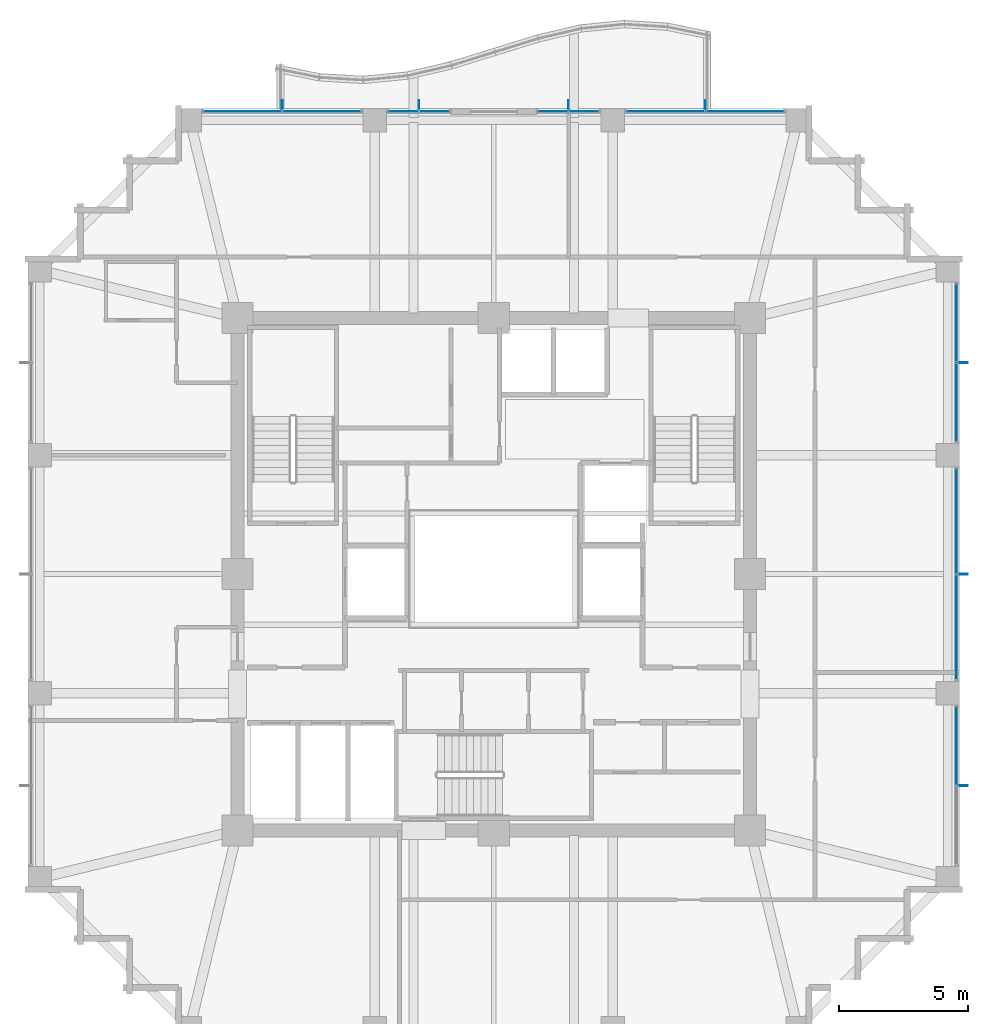
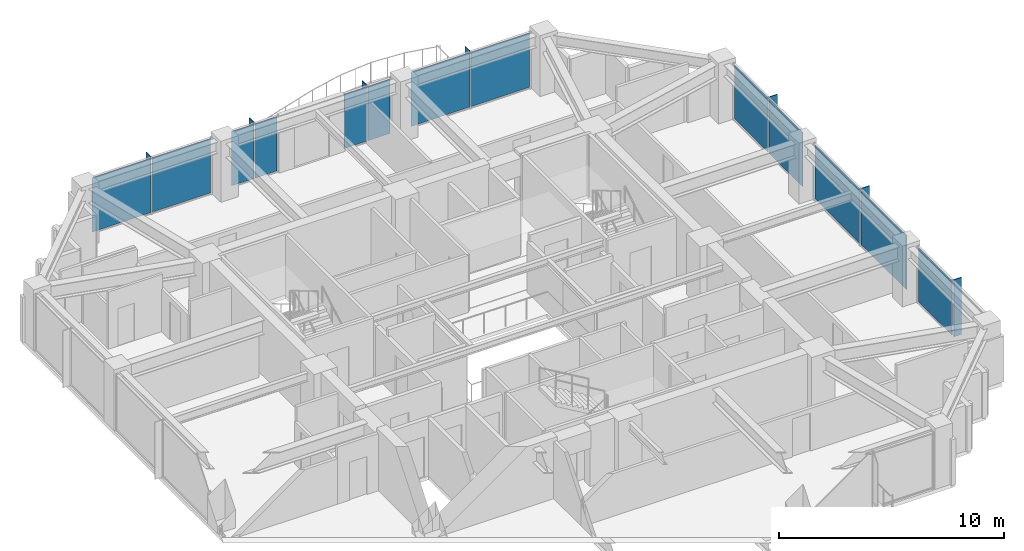
# One storey, part 25 of 31: 20 plates, 7 elements without a shape of their own.
"""IFC4 building model written with IfcOpenShell, lengths in metres."""

from ifc_helpers import new_model, si_unit, direction, frame, origin, origin_2d, place, context, subcontext, project, spatial, rectangle, extrude, material, layer, layer_set, type_object, element, aggregate, save


model = new_model("IFC4")

# Units and contexts
model_context = context("Model", 3, precision=1e-05, world=origin(), true_north=direction((0.0, 1.0)))
body_context = subcontext(model_context, "Body", "Model", "MODEL_VIEW")
ifc_project = project(units=[si_unit("LENGTHUNIT", "METRE"), si_unit("AREAUNIT", "SQUARE_METRE"), si_unit("VOLUMEUNIT", "CUBIC_METRE"), si_unit("PLANEANGLEUNIT", "RADIAN"), si_unit("MASSUNIT", "GRAM", prefix="KILO")], contexts=[model_context])

# Site, building, storey
site_placement = place(None, origin())
site = spatial("IfcSite", under=ifc_project, at=site_placement, CompositionType="ELEMENT")
building_placement = place(site_placement, origin())
building = spatial("IfcBuilding", under=site, at=building_placement, Name="Kolvaren Belvedere", CompositionType="ELEMENT")
storey_placement = place(building_placement, frame((0.0, 0.0, 134.89990234375)))
storey = spatial("IfcBuildingStorey", under=building, at=storey_placement, Name="L39", CompositionType="ELEMENT", Elevation=134.89990234375)

# Curtain wall, plates
ifc_material_1 = material(Name="Anodised pale-metal aluminium AA 6063-T6", Category="aluminium")
curtain_wall_type = type_object("IfcCurtainWallType", Name="CW-Z3-WAIST", PredefinedType="NOTDEFINED", material=ifc_material_1)
curtain_wall_1_placement = place(storey_placement, origin())
curtain_wall_1 = element("IfcCurtainWall", 1, at=curtain_wall_1_placement, inside=storey, type_object=curtain_wall_type, Name="L39 Unitised Curtain Wall FCW-L39-E-B1", PredefinedType="NOTDEFINED")
ifc_material_2 = material(Name="Low-iron triple insulated glass", Category="glass")
ifc_layer_1 = layer(ifc_material_2, 0.028076171875)
ifc_layer_set_1 = layer_set([ifc_layer_1], Name="Low-iron triple insulated glass")
plate_type_1 = type_object("IfcPlateType", Name="CW-PNL-VIS28", PredefinedType="CURTAIN_PANEL", material=ifc_layer_set_1)
plate_1_placement = place(storey_placement, frame((17.8798828125, 9.711181640625, 0.080078125), z_axis=(0.0, 0.0, 1.0), x_axis=(0.0, -1.0, 0.0)))
plate_1 = element("IfcPlate", 2, at=plate_1_placement, type_object=plate_type_1, Name="FCW-L39-E-B1 Vision Glazing Panel 1", PredefinedType="CURTAIN_PANEL", context=body_context, shape_type="SweptSolid", body=[
    extrude(rectangle(XDim=2.992431640625, YDim=0.028076171875, at=origin_2d()), origin(), (0.0, 0.0, 1.0), 2.93994140625),
])
plate_2_placement = place(storey_placement, frame((17.8798828125, 6.638671875, 0.080078125), z_axis=(0.0, 0.0, 1.0), x_axis=(0.0, -1.0, 0.0)))
plate_2 = element("IfcPlate", 3, at=plate_2_placement, type_object=plate_type_1, Name="FCW-L39-E-B1 Vision Glazing Panel 2", PredefinedType="CURTAIN_PANEL", context=body_context, shape_type="SweptSolid", body=[
    extrude(rectangle(XDim=2.992431640625, YDim=0.028076171875, at=origin_2d()), origin(), (0.0, 0.0, 1.0), 2.93994140625),
])
aggregate(curtain_wall_1, [plate_1, plate_2])

curtain_wall_2_placement = place(storey_placement, origin())
curtain_wall_2 = element("IfcCurtainWall", 4, at=curtain_wall_2_placement, inside=storey, type_object=curtain_wall_type, Name="L39 Unitised Curtain Wall FCW-L39-E-B2", PredefinedType="NOTDEFINED")
plate_3_placement = place(storey_placement, frame((17.8798828125, 2.048828125, 0.080078125), z_axis=(0.0, 0.0, 1.0), x_axis=(0.0, -1.0, 0.0)))
plate_3 = element("IfcPlate", 5, at=plate_3_placement, type_object=plate_type_1, Name="FCW-L39-E-B2 Vision Glazing Panel 1", PredefinedType="CURTAIN_PANEL", context=body_context, shape_type="SweptSolid", body=[
    extrude(rectangle(XDim=4.017578125, YDim=0.028076171875, at=origin_2d()), origin(), (0.0, 0.0, 1.0), 2.93994140625),
])
plate_4_placement = place(storey_placement, frame((17.8798828125, -2.048828125, 0.080078125), z_axis=(0.0, 0.0, 1.0), x_axis=(0.0, -1.0, 0.0)))
plate_4 = element("IfcPlate", 6, at=plate_4_placement, type_object=plate_type_1, Name="FCW-L39-E-B2 Vision Glazing Panel 2", PredefinedType="CURTAIN_PANEL", context=body_context, shape_type="SweptSolid", body=[
    extrude(rectangle(XDim=4.017578125, YDim=0.028076171875, at=origin_2d()), origin(), (0.0, 0.0, 1.0), 2.93994140625),
])
aggregate(curtain_wall_2, [plate_3, plate_4])

# Curtain wall, plate
curtain_wall_3_placement = place(storey_placement, origin())
curtain_wall_3 = element("IfcCurtainWall", 7, at=curtain_wall_3_placement, inside=storey, type_object=curtain_wall_type, Name="L39 Unitised Curtain Wall FCW-L39-E-B3", PredefinedType="NOTDEFINED")
plate_5_placement = place(storey_placement, frame((17.8798828125, -6.638671875, 0.080078125), z_axis=(0.0, 0.0, 1.0), x_axis=(0.0, -1.0, 0.0)))
plate_5 = element("IfcPlate", 8, at=plate_5_placement, type_object=plate_type_1, Name="FCW-L39-E-B3 Vision Glazing Panel 1", PredefinedType="CURTAIN_PANEL", context=body_context, shape_type="SweptSolid", body=[
    extrude(rectangle(XDim=2.992431640625, YDim=0.028076171875, at=origin_2d()), origin(), (0.0, 0.0, 1.0), 2.93994140625),
])
aggregate(curtain_wall_3, [plate_5])

# Curtain wall, plates
curtain_wall_4_placement = place(storey_placement, origin())
curtain_wall_4 = element("IfcCurtainWall", 9, at=curtain_wall_4_placement, inside=storey, type_object=curtain_wall_type, Name="L39 Unitised Curtain Wall FCW-L39-N1-B1", PredefinedType="NOTDEFINED")
plate_6_placement = place(storey_placement, frame((-9.711181640625, 17.8798828125, 0.080078125), z_axis=(0.0, 0.0, 1.0), x_axis=(1.0, 0.0, 0.0)))
plate_6 = element("IfcPlate", 10, at=plate_6_placement, type_object=plate_type_1, Name="FCW-L39-N1-B1 Vision Glazing Panel 1", PredefinedType="CURTAIN_PANEL", context=body_context, shape_type="SweptSolid", body=[
    extrude(rectangle(XDim=2.992431640625, YDim=0.028076171875, at=origin_2d()), origin(), (0.0, 0.0, 1.0), 2.93994140625),
])
plate_7_placement = place(storey_placement, frame((-6.638671875, 17.8798828125, 0.080078125), z_axis=(0.0, 0.0, 1.0), x_axis=(1.0, 0.0, 0.0)))
plate_7 = element("IfcPlate", 11, at=plate_7_placement, type_object=plate_type_1, Name="FCW-L39-N1-B1 Vision Glazing Panel 2", PredefinedType="CURTAIN_PANEL", context=body_context, shape_type="SweptSolid", body=[
    extrude(rectangle(XDim=2.992431640625, YDim=0.028076171875, at=origin_2d()), origin(), (0.0, 0.0, 1.0), 2.93994140625),
])
aggregate(curtain_wall_4, [plate_6, plate_7])

curtain_wall_5_placement = place(storey_placement, origin())
curtain_wall_5 = element("IfcCurtainWall", 12, at=curtain_wall_5_placement, inside=storey, type_object=curtain_wall_type, Name="L39 Unitised Curtain Wall FCW-L39-N1-B2", PredefinedType="NOTDEFINED")
plate_8_placement = place(storey_placement, frame((-3.4931640625, 17.8798828125, 0.080078125), z_axis=(0.0, 0.0, 1.0), x_axis=(1.0, 0.0, 0.0)))
plate_8 = element("IfcPlate", 13, at=plate_8_placement, type_object=plate_type_1, Name="FCW-L39-N1-B2 Vision Glazing Panel 1", PredefinedType="CURTAIN_PANEL", context=body_context, shape_type="SweptSolid", body=[
    extrude(rectangle(XDim=1.12890625, YDim=0.028076171875, at=origin_2d()), origin(), (0.0, 0.0, 1.0), 2.93994140625),
])
plate_9_placement = place(storey_placement, frame((-2.284423828125, 17.8798828125, 0.080078125), z_axis=(0.0, 0.0, 1.0), x_axis=(1.0, 0.0, 0.0)))
plate_9 = element("IfcPlate", 14, at=plate_9_placement, type_object=plate_type_1, Name="FCW-L39-N1-B2 Vision Glazing Panel 2", PredefinedType="CURTAIN_PANEL", context=body_context, shape_type="SweptSolid", body=[
    extrude(rectangle(XDim=1.12890625, YDim=0.028076171875, at=origin_2d()), origin(), (0.0, 0.0, 1.0), 2.93994140625),
])
aggregate(curtain_wall_5, [plate_8, plate_9])

curtain_wall_6_placement = place(storey_placement, origin())
curtain_wall_6 = element("IfcCurtainWall", 15, at=curtain_wall_6_placement, inside=storey, type_object=curtain_wall_type, Name="L39 Unitised Curtain Wall FCW-L39-N2-B1", PredefinedType="NOTDEFINED")
plate_10_placement = place(storey_placement, frame((2.284423828125, 17.8798828125, 0.080078125), z_axis=(0.0, 0.0, 1.0), x_axis=(1.0, 0.0, 0.0)))
plate_10 = element("IfcPlate", 16, at=plate_10_placement, type_object=plate_type_1, Name="FCW-L39-N2-B1 Vision Glazing Panel 1", PredefinedType="CURTAIN_PANEL", context=body_context, shape_type="SweptSolid", body=[
    extrude(rectangle(XDim=1.12890625, YDim=0.028076171875, at=origin_2d()), origin(), (0.0, 0.0, 1.0), 2.93994140625),
])
plate_11_placement = place(storey_placement, frame((3.4931640625, 17.8798828125, 0.080078125), z_axis=(0.0, 0.0, 1.0), x_axis=(1.0, 0.0, 0.0)))
plate_11 = element("IfcPlate", 17, at=plate_11_placement, type_object=plate_type_1, Name="FCW-L39-N2-B1 Vision Glazing Panel 2", PredefinedType="CURTAIN_PANEL", context=body_context, shape_type="SweptSolid", body=[
    extrude(rectangle(XDim=1.12890625, YDim=0.028076171875, at=origin_2d()), origin(), (0.0, 0.0, 1.0), 2.93994140625),
])
aggregate(curtain_wall_6, [plate_10, plate_11])

curtain_wall_7_placement = place(storey_placement, origin())
curtain_wall_7 = element("IfcCurtainWall", 18, at=curtain_wall_7_placement, inside=storey, type_object=curtain_wall_type, Name="L39 Unitised Curtain Wall FCW-L39-N2-B2", PredefinedType="NOTDEFINED")
plate_12_placement = place(storey_placement, frame((6.638671875, 17.8798828125, 0.080078125), z_axis=(0.0, 0.0, 1.0), x_axis=(1.0, 0.0, 0.0)))
plate_12 = element("IfcPlate", 19, at=plate_12_placement, type_object=plate_type_1, Name="FCW-L39-N2-B2 Vision Glazing Panel 1", PredefinedType="CURTAIN_PANEL", context=body_context, shape_type="SweptSolid", body=[
    extrude(rectangle(XDim=2.992431640625, YDim=0.028076171875, at=origin_2d()), origin(), (0.0, 0.0, 1.0), 2.93994140625),
])
plate_13_placement = place(storey_placement, frame((9.711181640625, 17.8798828125, 0.080078125), z_axis=(0.0, 0.0, 1.0), x_axis=(1.0, 0.0, 0.0)))
plate_13 = element("IfcPlate", 20, at=plate_13_placement, type_object=plate_type_1, Name="FCW-L39-N2-B2 Vision Glazing Panel 2", PredefinedType="CURTAIN_PANEL", context=body_context, shape_type="SweptSolid", body=[
    extrude(rectangle(XDim=2.992431640625, YDim=0.028076171875, at=origin_2d()), origin(), (0.0, 0.0, 1.0), 2.93994140625),
])
aggregate(curtain_wall_7, [plate_12, plate_13])

# Plates
ifc_material_3 = material(Name="Anodised pale-metal aluminium AA 6063-T6", Category="aluminium")
ifc_layer_2 = layer(ifc_material_3, 0.033935546875)
ifc_layer_set_2 = layer_set([ifc_layer_2], Name="Anodised pale-metal aluminium AA 6063-T6")
plate_type_2 = type_object("IfcPlateType", Name="FIN-VERT-380", PredefinedType="USERDEFINED", material=ifc_layer_set_2)
for number, where, z_axis, x_axis, name in (
    (21, (18.1201171875, 8.175048828125, 0.0), (0.0, 0.0, 1.0), (1.0, 0.0, 0.0), "L39 Pale-Metal Vertical Shading Fin FCW-L39-E-B1-1"),
    (22, (18.1201171875, 0.0, 0.0), (0.0, 0.0, 1.0), (1.0, 0.0, 0.0), "L39 Pale-Metal Vertical Shading Fin FCW-L39-E-B2-1"),
    (23, (18.1201171875, -8.175048828125, 0.0), (0.0, 0.0, 1.0), (1.0, 0.0, 0.0), "L39 Pale-Metal Vertical Shading Fin FCW-L39-E-B3-1"),
    (24, (-8.175048828125, 18.1201171875, 0.0), (0.0, 0.0, 1.0), (0.0, 1.0, 0.0), "L39 Pale-Metal Vertical Shading Fin FCW-L39-N1-B1-1"),
    (25, (-2.888671875, 18.1201171875, 0.0), (0.0, 0.0, 1.0), (0.0, 1.0, 0.0), "L39 Pale-Metal Vertical Shading Fin FCW-L39-N1-B2-1"),
    (26, (2.888671875, 18.1201171875, 0.0), (0.0, 0.0, 1.0), (0.0, 1.0, 0.0), "L39 Pale-Metal Vertical Shading Fin FCW-L39-N2-B1-1"),
    (27, (8.175048828125, 18.1201171875, 0.0), (0.0, 0.0, 1.0), (0.0, 1.0, 0.0), "L39 Pale-Metal Vertical Shading Fin FCW-L39-N2-B2-1"),
):
    element("IfcPlate", number, at=place(storey_placement, frame(where, z_axis=z_axis, x_axis=x_axis)), inside=storey, type_object=plate_type_2, Name=name, ObjectType="VERTICAL FIN", PredefinedType="USERDEFINED", context=body_context, shape_type="SweptSolid", body=[
        extrude(rectangle(XDim=0.3798828125, YDim=0.033935546875, at=origin_2d()), origin(), (0.0, 0.0, 1.0), 3.10009765625),
    ])

save(model, "model.ifc")
